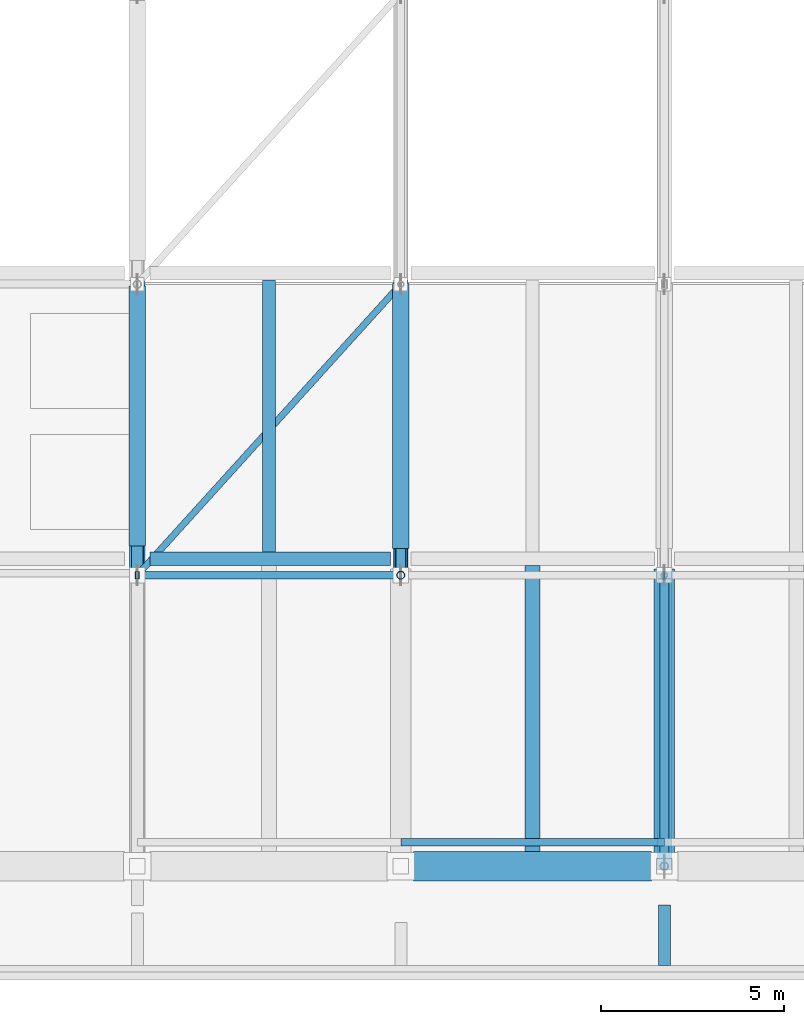
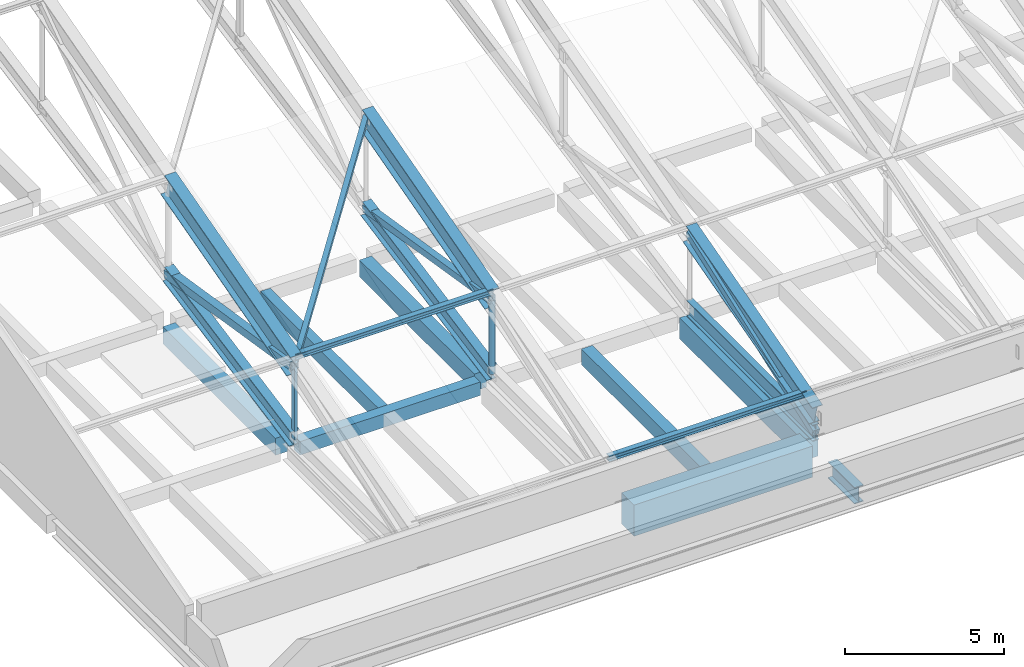
# One storey, part 2 of 53: 14 beams, 8 members.
"""IFC4 building model written with IfcOpenShell, lengths in metres."""

import ifcopenshell
import ifcopenshell.guid

model = None  # the IFC model being written
_history = None  # IfcOwnerHistory: only IFC2X3 demands one
_inside = {}  # id of a spatial element -> (the spatial element, [elements in it])
_under = {}  # id of a project, library or spatial element -> (it, [spatial elements below it])
_declared = {}  # id of a project -> (the project, [libraries it declares])
_typed = {}  # id of a type object -> (the type object, [elements of that type])
_made_of = {}  # id of a material, layer set ... -> (it, [elements and type objects made of it])


def new_model(schema):
    """Start an empty IFC model of exactly this schema.

    Asked for "IFC4X3", IfcOpenShell would pick the latest addendum, in which some entities
    have other attributes; the version numbers below select the first issue.
    IFC2X3 requires an IfcOwnerHistory on every rooted entity: one is made here for all.
    """
    global model, _history
    if schema == "IFC4X3":
        model = ifcopenshell.file(schema_version=(4, 3, 0, 0))
    else:
        model = ifcopenshell.file(schema=schema)
    _inside.clear()
    _under.clear()
    _declared.clear()
    _typed.clear()
    _made_of.clear()
    _history = None
    if model.schema == "IFC2X3":
        org = make("IfcOrganization", Name="unknown")
        user = make(
            "IfcPersonAndOrganization",
            ThePerson=make("IfcPerson", FamilyName="unknown"),
            TheOrganization=org,
        )
        app = make(
            "IfcApplication",
            ApplicationDeveloper=org,
            Version="unknown",
            ApplicationFullName="unknown",
            ApplicationIdentifier="unknown",
        )
        _history = make(
            "IfcOwnerHistory",
            OwningUser=user,
            OwningApplication=app,
            ChangeAction="ADDED",
            CreationDate=0,
        )
    return model


def make(cls, **values):
    """One entity of the class cls with the attributes given. An attribute that is None is left unset."""
    return model.create_entity(
        cls, **{name: value for name, value in values.items() if value is not None}
    )


def rooted(cls, **values):
    """An entity with a GlobalId (a new one), such as an element, a storey or a relation."""
    return make(cls, GlobalId=ifcopenshell.guid.new(), OwnerHistory=_history, **values)


def si_unit(unit_type, name, prefix=None):
    """IfcSIUnit, for example si_unit("LENGTHUNIT", "METRE", prefix="MILLI")."""
    return make("IfcSIUnit", UnitType=unit_type, Prefix=prefix, Name=name)


def assignment(units):
    """IfcUnitAssignment: the units of a project."""
    return None if units is None else make("IfcUnitAssignment", Units=units)


def point(xyz):
    """IfcCartesianPoint."""
    return None if xyz is None else make("IfcCartesianPoint", Coordinates=xyz)


def direction(xyz):
    """IfcDirection."""
    return None if xyz is None else make("IfcDirection", DirectionRatios=xyz)


def frame(location, z_axis=None, x_axis=None):
    """IfcAxis2Placement3D, a coordinate frame: its origin and axes. An axis left out is left unset."""
    return make(
        "IfcAxis2Placement3D",
        Location=point(location),
        Axis=direction(z_axis),
        RefDirection=direction(x_axis),
    )


def frame_2d(location, x_axis=None):
    """IfcAxis2Placement2D, a coordinate frame in the plane: its origin and x axis."""
    return make(
        "IfcAxis2Placement2D", Location=point(location), RefDirection=direction(x_axis)
    )


def origin():
    """The frame at (0, 0, 0) with its axes left unset."""
    return frame((0.0, 0.0, 0.0))


def origin_2d():
    """The frame at (0, 0) in the plane with its x axis left unset."""
    return frame_2d((0.0, 0.0))


def place(relative_to, where):
    """IfcLocalPlacement: puts the frame where relative to a parent placement (None: the world)."""
    return make(
        "IfcLocalPlacement", PlacementRelTo=relative_to, RelativePlacement=where
    )


def context(
    kind, dimensions, precision=None, world=None, true_north=None, identifier=None
):
    """IfcGeometricRepresentationContext, for example the 3D "Model" context."""
    return make(
        "IfcGeometricRepresentationContext",
        ContextIdentifier=identifier,
        ContextType=kind,
        CoordinateSpaceDimension=dimensions,
        Precision=precision,
        WorldCoordinateSystem=world,
        TrueNorth=true_north,
    )


def subcontext(parent, identifier, kind, view, scale=None):
    """IfcGeometricRepresentationSubContext, for example "Body" below "Model"."""
    return make(
        "IfcGeometricRepresentationSubContext",
        ContextIdentifier=identifier,
        ContextType=kind,
        ParentContext=parent,
        TargetScale=scale,
        TargetView=view,
    )


def project(units=None, contexts=None):
    """IfcProject with its units and contexts."""
    return rooted(
        "IfcProject",
        Name="project",
        RepresentationContexts=contexts,
        UnitsInContext=assignment(units),
    )


def spatial(cls, under=None, at=None, **own):
    """A site, building, storey or space (cls), placed at a placement, below another one or the project."""
    s = rooted(cls, ObjectPlacement=at, **own)
    if under is not None:
        _under.setdefault(under.id(), (under, []))[1].append(s)
    return s


def profile(cls, at=None, kind="AREA", **sizes):
    """A parametric profile (cls). Its sizes go by their IFC names, for example OverallWidth=200.0."""
    return make(cls, ProfileType=kind, Position=at, **sizes)


def rectangle(**sizes):
    """IfcRectangleProfileDef."""
    return profile("IfcRectangleProfileDef", **sizes)


def hollow_rectangle(**sizes):
    """IfcRectangleHollowProfileDef."""
    return profile("IfcRectangleHollowProfileDef", **sizes)


def hollow_circle(**sizes):
    """IfcCircleHollowProfileDef."""
    return profile("IfcCircleHollowProfileDef", **sizes)


def i_section(**sizes):
    """IfcIShapeProfileDef."""
    return profile("IfcIShapeProfileDef", **sizes)


def extrude(swept, where, along, depth):
    """IfcExtrudedAreaSolid: the profile swept, set in the frame where, extruded along a direction by depth."""
    return make(
        "IfcExtrudedAreaSolid",
        SweptArea=swept,
        Position=where,
        ExtrudedDirection=direction(along),
        Depth=depth,
    )


def shape(context_of_items, identifier, shape_type, items):
    """IfcShapeRepresentation: the items that make up one representation, for example the "Body"."""
    return make(
        "IfcShapeRepresentation",
        ContextOfItems=context_of_items,
        RepresentationIdentifier=identifier,
        RepresentationType=shape_type,
        Items=items,
    )


def material(Name=None, Category=None):
    """IfcMaterial."""
    return make("IfcMaterial", Name=Name, Category=Category)


def material_profile(
    of_material, cross_section, Name=None, Category=None, Priority=None
):
    """IfcMaterialProfile: a cross section and its material."""
    return make(
        "IfcMaterialProfile",
        Name=Name,
        Material=of_material,
        Profile=cross_section,
        Priority=Priority,
        Category=Category,
    )


def profile_set(profiles, Name=None, composite=None):
    """IfcMaterialProfileSet."""
    return make(
        "IfcMaterialProfileSet",
        Name=Name,
        MaterialProfiles=profiles,
        CompositeProfile=composite,
    )


def made_of(thing, what):
    """Note that an element or type object is made of a material, layer set ...; save() writes the relation."""
    if what is not None:
        _made_of.setdefault(what.id(), (what, []))[1].append(thing)
    return thing


def type_object(cls, material=None, **own):
    """A type object (cls), such as IfcWallType, which elements share."""
    return made_of(rooted(cls, **own), material)


def element(
    cls,
    number,
    at=None,
    inside=None,
    cuts=None,
    type_object=None,
    material=None,
    context=None,
    identifier="Body",
    shape_type=None,
    held_by="IfcProductDefinitionShape",
    body=None,
    shapes=None,
    **own,
):
    """One element of the class cls, such as IfcWall. Its Tag is "e" and its number.

    at: its placement. inside: the storey or other place that contains it. cuts: it is an
    opening in that element (IfcRelVoidsElement). A single representation is given by context,
    identifier, shape_type and body (its items); several are given by shapes. held_by: the class
    of the entity that holds the representations. save() writes the other relations.
    """
    e = rooted(cls, Tag="e%d" % number, ObjectPlacement=at, **own)
    if body is not None:
        shapes = [shape(context, identifier, shape_type, body)]
    if shapes is not None:
        e.Representation = make(held_by, Representations=shapes)
    if inside is not None:
        _inside.setdefault(inside.id(), (inside, []))[1].append(e)
    if cuts is not None:
        rooted(
            "IfcRelVoidsElement", RelatingBuildingElement=cuts, RelatedOpeningElement=e
        )
    if type_object is not None:
        _typed.setdefault(type_object.id(), (type_object, []))[1].append(e)
    return made_of(e, material)


def aggregate(whole, parts):
    """IfcRelAggregates: a whole, such as a stair, and the parts it consists of."""
    return rooted("IfcRelAggregates", RelatingObject=whole, RelatedObjects=parts)


def save(model, path):
    """Write the relations noted so far, then the file.

    IfcRelAggregates (storeys below a building ...), IfcRelContainedInSpatialStructure (elements
    in a storey), IfcRelDefinesByType, IfcRelAssociatesMaterial and IfcRelDeclares: one each for
    every whole, place, type object, material and project.
    """
    for whole, parts in _under.values():
        aggregate(whole, parts)
    for where, things in _inside.values():
        rooted(
            "IfcRelContainedInSpatialStructure",
            RelatedElements=things,
            RelatingStructure=where,
        )
    for kind, things in _typed.values():
        rooted("IfcRelDefinesByType", RelatedObjects=things, RelatingType=kind)
    for what, things in _made_of.values():
        rooted("IfcRelAssociatesMaterial", RelatedObjects=things, RelatingMaterial=what)
    for by, libraries in _declared.values():
        rooted("IfcRelDeclares", RelatingContext=by, RelatedDefinitions=libraries)
    model.write(path)


model = new_model("IFC4")

# Units and contexts
model_context = context("Model", 3, precision=1e-05, world=origin(), true_north=direction((0.0, 1.0)))
body_context = subcontext(model_context, "Body", "Model", "MODEL_VIEW")
ifc_project = project(units=[si_unit("LENGTHUNIT", "METRE"), si_unit("AREAUNIT", "SQUARE_METRE"), si_unit("VOLUMEUNIT", "CUBIC_METRE"), si_unit("PLANEANGLEUNIT", "RADIAN"), si_unit("MASSUNIT", "GRAM", prefix="KILO")], contexts=[model_context])

# Site, building, storey
site_placement = place(None, origin())
site = spatial("IfcSite", under=ifc_project, at=site_placement, CompositionType="ELEMENT")
building_placement = place(site_placement, origin())
building = spatial("IfcBuilding", under=site, at=building_placement, Name="Pellamere Symphony Hall", CompositionType="ELEMENT")
storey_placement = place(building_placement, frame((0.0, 0.0, 24.0)))
storey = spatial("IfcBuildingStorey", under=building, at=storey_placement, Name="L05", CompositionType="ELEMENT", Elevation=24.0)

# Beams
ifc_material_1 = material(Name="Concrete 50 MPa", Category="concrete")
ifc_material_profile_1 = material_profile(ifc_material_1, rectangle(XDim=0.800048828125, YDim=1.199951171875, at=origin_2d()), Name="RC 800x1200")
ifc_profile_set_1 = profile_set([ifc_material_profile_1], Name="Concrete 50 MPa")
beam_type_1 = type_object("IfcBeamType", Name="RC CB-01 800x1200", PredefinedType="BEAM", material=ifc_profile_set_1)
beam_1_placement = place(storey_placement, frame((66.35009765625, 30.0, -0.60009765625), z_axis=(1.0, 0.0, 0.0), x_axis=(0.0, 1.0, 0.0)))
element("IfcBeam", 1, at=beam_1_placement, inside=storey, type_object=beam_type_1, Name="Girder CB-01-X1997 (L05)", PredefinedType="BEAM", context=body_context, shape_type="SweptSolid", body=[
    extrude(rectangle(XDim=0.800048828125, YDim=1.199951171875, at=origin_2d()), origin(), (0.0, 0.0, 1.0), 6.5),
])
ifc_material_2 = material(Name="Concrete 40 MPa", Category="concrete")
ifc_material_profile_2 = material_profile(ifc_material_2, rectangle(XDim=0.550048828125, YDim=0.800048828125, at=origin_2d()), Name="RC 550x800")
ifc_profile_set_2 = profile_set([ifc_material_profile_2], Name="Concrete 40 MPa")
beam_type_2 = type_object("IfcBeamType", Name="RC CB-05 550x800", PredefinedType="BEAM", material=ifc_profile_set_2)
beam_2_placement = place(storey_placement, frame((73.199951171875, 30.35009765625, -0.659912109375), z_axis=(0.0, 1.0, 0.0), x_axis=(-1.0, 0.0, 0.0)))
element("IfcBeam", 2, at=beam_2_placement, inside=storey, type_object=beam_type_2, Name="Girder CB-05-Y2088 (L05)", PredefinedType="BEAM", context=body_context, shape_type="SweptSolid", body=[
    extrude(rectangle(XDim=0.550048828125, YDim=0.800048828125, at=origin_2d()), origin(), (0.0, 0.0, 1.0), 7.77490234375),
])
ifc_material_profile_3 = material_profile(ifc_material_2, rectangle(XDim=0.449951171875, YDim=0.64990234375, at=origin_2d()), Name="RC 450x650")
ifc_profile_set_3 = profile_set([ifc_material_profile_3], Name="Concrete 40 MPa")
beam_type_3 = type_object("IfcBeamType", Name="RC CB-08 450x650", PredefinedType="BEAM", material=ifc_profile_set_3)
beam_3_placement = place(storey_placement, frame((58.800048828125, 38.75, -0.5849609375), z_axis=(0.0, 1.0, 0.0), x_axis=(-1.0, 0.0, 0.0)))
element("IfcBeam", 3, at=beam_3_placement, inside=storey, type_object=beam_type_3, Name="Girder CB-08-Y2079 (L05)", PredefinedType="BEAM", context=body_context, shape_type="SweptSolid", body=[
    extrude(rectangle(XDim=0.449951171875, YDim=0.64990234375, at=origin_2d()), origin(), (0.0, 0.0, 1.0), 7.10009765625),
])
beam_4_placement = place(storey_placement, frame((66.0, 38.675048828125, -0.5849609375), z_axis=(0.0, 1.0, 0.0), x_axis=(-1.0, 0.0, 0.0)))
element("IfcBeam", 4, at=beam_4_placement, inside=storey, type_object=beam_type_3, Name="Girder CB-08-Y2087 (L05)", PredefinedType="BEAM", context=body_context, shape_type="SweptSolid", body=[
    extrude(rectangle(XDim=0.449951171875, YDim=0.64990234375, at=origin_2d()), origin(), (0.0, 0.0, 1.0), 7.25),
])
ifc_material_profile_4 = material_profile(ifc_material_2, rectangle(XDim=0.39990234375, YDim=0.60009765625, at=origin_2d()), Name="RC 400x600")
ifc_profile_set_4 = profile_set([ifc_material_profile_4], Name="Concrete 40 MPa")
beam_type_4 = type_object("IfcBeamType", Name="RC CB-09 400x600", PredefinedType="BEAM", material=ifc_profile_set_4)
beam_5_placement = place(storey_placement, frame((69.60009765625, 30.39990234375, -0.574951171875), z_axis=(0.0, 1.0, 0.0), x_axis=(-1.0, 0.0, 0.0)))
element("IfcBeam", 5, at=beam_5_placement, inside=storey, type_object=beam_type_4, Name="Secondary Floor Beam CB-09-M0804 (L05)", PredefinedType="BEAM", context=body_context, shape_type="SweptSolid", body=[
    extrude(rectangle(XDim=0.39990234375, YDim=0.60009765625, at=origin_2d()), origin(), (0.0, 0.0, 1.0), 7.81005859375),
])
ifc_material_3 = material(Name="Concrete 35 MPa", Category="concrete")
ifc_material_profile_5 = material_profile(ifc_material_3, rectangle(XDim=0.35009765625, YDim=0.550048828125, at=origin_2d()), Name="RC 350x550")
ifc_profile_set_5 = profile_set([ifc_material_profile_5], Name="Concrete 35 MPa")
beam_type_5 = type_object("IfcBeamType", Name="RC CB-10 350x550", PredefinedType="BEAM", material=ifc_profile_set_5)
beam_6_placement = place(storey_placement, frame((62.39990234375, 38.590087890625, -0.550048828125), z_axis=(0.0, 1.0, 0.0), x_axis=(-1.0, 0.0, 0.0)))
element("IfcBeam", 6, at=beam_6_placement, inside=storey, type_object=beam_type_5, Name="Secondary Floor Beam CB-10-M0705 (L05)", PredefinedType="BEAM", context=body_context, shape_type="SweptSolid", body=[
    extrude(rectangle(XDim=0.35009765625, YDim=0.550048828125, at=origin_2d()), origin(), (0.0, 0.0, 1.0), 7.419921875),
])
ifc_material_profile_6 = material_profile(ifc_material_2, rectangle(XDim=0.3798828125, YDim=0.52001953125, at=origin_2d()), Name="RC 380x520")
ifc_profile_set_6 = profile_set([ifc_material_profile_6], Name="Concrete 40 MPa")
beam_type_6 = type_object("IfcBeamType", Name="RC CB-21 380x520", PredefinedType="BEAM", material=ifc_profile_set_6)
beam_7_placement = place(storey_placement, frame((59.14990234375, 38.39990234375, -0.52001953125), z_axis=(1.0, 0.0, 0.0), x_axis=(0.0, 1.0, 0.0)))
element("IfcBeam", 7, at=beam_7_placement, inside=storey, type_object=beam_type_6, Name="Girder CB-21-X2011 (L05)", PredefinedType="BEAM", context=body_context, shape_type="SweptSolid", body=[
    extrude(rectangle(XDim=0.3798828125, YDim=0.52001953125, at=origin_2d()), origin(), (0.0, 0.0, 1.0), 6.5751953125),
])
ifc_material_4 = material(Name="Steel CSA G40.21 350W", Category="steel")
ifc_material_profile_7 = material_profile(ifc_material_4, i_section(OverallWidth=0.41796875, OverallDepth=0.912109375, WebThickness=0.019287109375, FlangeThickness=0.031982421875, at=origin_2d()), Name="W920X342")
ifc_profile_set_7 = profile_set([ifc_material_profile_7], Name="Steel CSA G40.21 350W")
beam_type_7 = type_object("IfcBeamType", Name="Steel Beam SB-01 W920X342", PredefinedType="BEAM", material=ifc_profile_set_7)
beam_8_placement = place(storey_placement, frame((58.800048828125, 37.949951171875, 2.968994140625), z_axis=(0.0, 0.964090435702, 0.265574154969), x_axis=(-1.0, 0.0, 0.0)))
element("IfcBeam", 8, at=beam_8_placement, inside=storey, type_object=beam_type_7, Name="Roof Truss TR-01 Top Chord 2", PredefinedType="BEAM", context=body_context, shape_type="SweptSolid", body=[
    extrude(i_section(OverallWidth=0.41796875, OverallDepth=0.912109375, WebThickness=0.019287109375, FlangeThickness=0.031982421875, at=origin_2d()), origin(), (0.0, 0.0, 1.0), 8.24609375),
])
ifc_material_profile_8 = material_profile(ifc_material_4, i_section(OverallWidth=0.39990234375, OverallDepth=0.85498046875, WebThickness=0.018310546875, FlangeThickness=0.029296875, at=origin_2d()), Name="W840X299")
ifc_profile_set_8 = profile_set([ifc_material_profile_8], Name="Steel CSA G40.21 350W")
beam_type_8 = type_object("IfcBeamType", Name="Steel Beam SB-03 W840X299", PredefinedType="BEAM", material=ifc_profile_set_8)
beam_9_placement = place(storey_placement, frame((66.0, 37.949951171875, 2.99755859375), z_axis=(0.0, 0.964090435702, 0.265574154969), x_axis=(-1.0, 0.0, 0.0)))
element("IfcBeam", 9, at=beam_9_placement, inside=storey, type_object=beam_type_8, Name="Roof Truss TR-02 Top Chord 2", PredefinedType="BEAM", context=body_context, shape_type="SweptSolid", body=[
    extrude(i_section(OverallWidth=0.39990234375, OverallDepth=0.85498046875, WebThickness=0.018310546875, FlangeThickness=0.029296875, at=origin_2d()), origin(), (0.0, 0.0, 1.0), 8.24609375),
])
ifc_material_profile_9 = material_profile(ifc_material_4, i_section(OverallWidth=0.381103515625, OverallDepth=0.77294921875, WebThickness=0.0166015625, FlangeThickness=0.027587890625, at=origin_2d()), Name="W760X257")
ifc_profile_set_9 = profile_set([ifc_material_profile_9], Name="Steel CSA G40.21 350W")
beam_type_9 = type_object("IfcBeamType", Name="Steel Beam SB-05 W760X257", PredefinedType="BEAM", material=ifc_profile_set_9)
beam_10_placement = place(storey_placement, frame((73.199951171875, 30.0, 0.848388671875), z_axis=(0.0, 0.964082854885, 0.265601673408), x_axis=(-1.0, 0.0, 0.0)))
element("IfcBeam", 10, at=beam_10_placement, inside=storey, type_object=beam_type_9, Name="Roof Truss TR-03 Top Chord 1", PredefinedType="BEAM", context=body_context, shape_type="SweptSolid", body=[
    extrude(i_section(OverallWidth=0.381103515625, OverallDepth=0.77294921875, WebThickness=0.0166015625, FlangeThickness=0.027587890625, at=origin_2d()), origin(), (0.0, 0.0, 1.0), 8.24609375),
])
ifc_material_profile_10 = material_profile(ifc_material_4, i_section(OverallWidth=0.3291015625, OverallDepth=0.635009765625, WebThickness=0.017822265625, FlangeThickness=0.031005859375, at=origin_2d()), Name="W610X241")
ifc_profile_set_10 = profile_set([ifc_material_profile_10], Name="Steel CSA G40.21 350W")
beam_type_10 = type_object("IfcBeamType", Name="Steel Beam SB-09 W610X241", PredefinedType="BEAM", material=ifc_profile_set_10)
beam_11_placement = place(storey_placement, frame((58.800048828125, 37.949951171875, 0.159912109375), z_axis=(0.0, 0.981591064498, 0.19099471746), x_axis=(-1.0, 0.0, 0.0)))
element("IfcBeam", 11, at=beam_11_placement, inside=storey, type_object=beam_type_10, Name="Roof Truss TR-01 Bottom Chord 2", PredefinedType="BEAM", context=body_context, shape_type="SweptSolid", body=[
    extrude(i_section(OverallWidth=0.3291015625, OverallDepth=0.635009765625, WebThickness=0.017822265625, FlangeThickness=0.031005859375, at=origin_2d()), origin(), (0.0, 0.0, 1.0), 8.09912109375),
])
beam_12_placement = place(storey_placement, frame((73.199951171875, 27.284912109375, -0.5849609375), z_axis=(0.0, 1.0, 0.0), x_axis=(-1.0, 0.0, 0.0)))
element("IfcBeam", 12, at=beam_12_placement, inside=storey, type_object=beam_type_10, Name="Winter-Garden Canopy Outrigger 03", PredefinedType="BEAM", context=body_context, shape_type="SweptSolid", body=[
    extrude(i_section(OverallWidth=0.3291015625, OverallDepth=0.635009765625, WebThickness=0.017822265625, FlangeThickness=0.031005859375, at=origin_2d()), origin(), (0.0, 0.0, 1.0), 1.6533203125),
])
ifc_material_profile_11 = material_profile(ifc_material_4, i_section(OverallWidth=0.324951171875, OverallDepth=0.615966796875, WebThickness=0.013916015625, FlangeThickness=0.021484375, at=origin_2d()), Name="W610X174")
ifc_profile_set_11 = profile_set([ifc_material_profile_11], Name="Steel CSA G40.21 350W")
beam_type_11 = type_object("IfcBeamType", Name="Steel Beam SB-10 W610X174", PredefinedType="BEAM", material=ifc_profile_set_11)
beam_13_placement = place(storey_placement, frame((66.0, 37.949951171875, 0.159912109375), z_axis=(0.0, 0.981591064498, 0.19099471746), x_axis=(-1.0, 0.0, 0.0)))
element("IfcBeam", 13, at=beam_13_placement, inside=storey, type_object=beam_type_11, Name="Roof Truss TR-02 Bottom Chord 2", PredefinedType="BEAM", context=body_context, shape_type="SweptSolid", body=[
    extrude(i_section(OverallWidth=0.324951171875, OverallDepth=0.615966796875, WebThickness=0.013916015625, FlangeThickness=0.021484375, at=origin_2d()), origin(), (0.0, 0.0, 1.0), 8.09912109375),
])
ifc_material_profile_12 = material_profile(ifc_material_4, i_section(OverallWidth=0.22998046875, OverallDepth=0.616943359375, WebThickness=0.01318359375, FlangeThickness=0.022216796875, at=origin_2d()), Name="W610X140")
ifc_profile_set_12 = profile_set([ifc_material_profile_12], Name="Steel CSA G40.21 350W")
beam_type_12 = type_object("IfcBeamType", Name="Steel Beam SB-11 W610X140", PredefinedType="BEAM", material=ifc_profile_set_12)
beam_14_placement = place(storey_placement, frame((73.199951171875, 30.0, 0.159912109375), z_axis=(0.0, 1.0, 0.0), x_axis=(-1.0, 0.0, 0.0)))
element("IfcBeam", 14, at=beam_14_placement, inside=storey, type_object=beam_type_12, Name="Roof Truss TR-03 Bottom Chord 1", PredefinedType="BEAM", context=body_context, shape_type="SweptSolid", body=[
    extrude(i_section(OverallWidth=0.22998046875, OverallDepth=0.616943359375, WebThickness=0.01318359375, FlangeThickness=0.022216796875, at=origin_2d()), origin(), (0.0, 0.0, 1.0), 7.949951171875),
])

# Members
ifc_material_profile_13 = material_profile(ifc_material_4, hollow_rectangle(XDim=0.3046875, YDim=0.3046875, WallThickness=0.0126953125, at=origin_2d()), Name="HSS305X305X13")
ifc_profile_set_13 = profile_set([ifc_material_profile_13], Name="Steel CSA G40.21 350W")
member_type_1 = type_object("IfcMemberType", Name="Steel Member SM-02 HSS305X305X13", PredefinedType="CHORD", material=ifc_profile_set_13)
member_1_placement = place(storey_placement, frame((58.800048828125, 37.949951171875, 2.968994140625), z_axis=(0.0, 0.987629564652, -0.156805111607), x_axis=(-1.0, 0.0, 0.0)))
element("IfcMember", 15, at=member_1_placement, inside=storey, type_object=member_type_1, Name="Roof Truss TR-01 Web Diagonal 2", PredefinedType="CHORD", context=body_context, shape_type="SweptSolid", body=[
    extrude(hollow_rectangle(XDim=0.3046875, YDim=0.3046875, WallThickness=0.0126953125, at=origin_2d()), origin(), (0.0, 0.0, 1.0), 8.049560546875),
])
ifc_material_profile_14 = material_profile(ifc_material_4, hollow_rectangle(XDim=0.25390625, YDim=0.25390625, WallThickness=0.0126953125, at=origin_2d()), Name="HSS254X254X13")
ifc_profile_set_14 = profile_set([ifc_material_profile_14], Name="Steel CSA G40.21 350W")
member_type_2 = type_object("IfcMemberType", Name="Steel Member SM-03 HSS254X254X13", PredefinedType="BRACE", material=ifc_profile_set_14)
member_2_placement = place(storey_placement, frame((66.0, 37.949951171875, 2.99755859375), z_axis=(0.0, 0.987074261673, -0.160263539031), x_axis=(-1.0, 0.0, 0.0)))
element("IfcMember", 16, at=member_2_placement, inside=storey, type_object=member_type_2, Name="Roof Truss TR-02 Web Diagonal 2", PredefinedType="BRACE", context=body_context, shape_type="SweptSolid", body=[
    extrude(hollow_rectangle(XDim=0.25390625, YDim=0.25390625, WallThickness=0.0126953125, at=origin_2d()), origin(), (0.0, 0.0, 1.0), 8.053955078125),
])
member_3_placement = place(storey_placement, frame((73.199951171875, 30.0, 0.159912109375), z_axis=(0.0, 0.940257084693, 0.340465291454), x_axis=(-1.0, 0.0, 0.0)))
element("IfcMember", 17, at=member_3_placement, inside=storey, type_object=member_type_2, Name="Roof Truss TR-03 Web Diagonal 1", PredefinedType="BRACE", context=body_context, shape_type="SweptSolid", body=[
    extrude(hollow_rectangle(XDim=0.25390625, YDim=0.25390625, WallThickness=0.0126953125, at=origin_2d()), origin(), (0.0, 0.0, 1.0), 8.455078125),
])
ifc_material_profile_15 = material_profile(ifc_material_4, hollow_rectangle(XDim=0.177734375, YDim=0.177734375, WallThickness=0.009521484375, at=origin_2d()), Name="HSS178X178X10")
ifc_profile_set_15 = profile_set([ifc_material_profile_15], Name="Steel CSA G40.21 350W")
member_type_3 = type_object("IfcMemberType", Name="Steel Member SM-05 HSS178X178X10", PredefinedType="BRACE", material=ifc_profile_set_15)
member_4_placement = place(storey_placement, frame((58.800048828125, 37.949951171875, 2.968994140625), z_axis=(0.65736454182, 0.725840479308, 0.202552358059), x_axis=(-0.741204587213, 0.67127919668, 0.0)))
element("IfcMember", 18, at=member_4_placement, inside=storey, type_object=member_type_3, Name="Roof Truss Plan Wind Brace 1.1", PredefinedType="BRACE", context=body_context, shape_type="SweptSolid", body=[
    extrude(hollow_rectangle(XDim=0.177734375, YDim=0.177734375, WallThickness=0.009521484375, at=origin_2d()), origin(), (0.0, 0.0, 1.0), 10.95263671875),
])
ifc_material_profile_16 = material_profile(ifc_material_4, hollow_rectangle(XDim=0.1015625, YDim=0.203125, WallThickness=0.009521484375, at=origin_2d()), Name="HSS203X102X10")
ifc_profile_set_16 = profile_set([ifc_material_profile_16], Name="Steel CSA G40.21 350W")
member_type_4 = type_object("IfcMemberType", Name="Steel Member SM-08 HSS203X102X10", PredefinedType="STRUT", material=ifc_profile_set_16)
member_5_placement = place(storey_placement, frame((58.800048828125, 37.949951171875, 0.159912109375), z_axis=(0.0, 0.0, 1.0), x_axis=(1.0, 0.0, 0.0)))
element("IfcMember", 19, at=member_5_placement, inside=storey, type_object=member_type_4, Name="Roof Truss TR-01 Vertical Post 1", PredefinedType="STRUT", context=body_context, shape_type="SweptSolid", body=[
    extrude(hollow_rectangle(XDim=0.1015625, YDim=0.203125, WallThickness=0.009521484375, at=origin_2d()), origin(), (0.0, 0.0, 1.0), 2.80908203125),
])
ifc_material_profile_17 = material_profile(ifc_material_4, hollow_circle(Radius=0.109619140625, WallThickness=0.009521484375, at=origin_2d()), Name="HSS219X10")
ifc_profile_set_17 = profile_set([ifc_material_profile_17], Name="Steel CSA G40.21 350W")
member_type_5 = type_object("IfcMemberType", Name="Steel Member SM-13 HSS219X10", PredefinedType="STRUT", material=ifc_profile_set_17)
member_6_placement = place(storey_placement, frame((66.0, 37.949951171875, 0.159912109375), z_axis=(0.0, 0.0, 1.0), x_axis=(1.0, 0.0, 0.0)))
element("IfcMember", 20, at=member_6_placement, inside=storey, type_object=member_type_5, Name="Roof Truss TR-02 Vertical Post 1", PredefinedType="STRUT", context=body_context, shape_type="SweptSolid", body=[
    extrude(hollow_circle(Radius=0.109619140625, WallThickness=0.009521484375, at=origin_2d()), origin(), (0.0, 0.0, 1.0), 2.837646484375),
])
ifc_material_profile_18 = material_profile(ifc_material_4, i_section(OverallWidth=0.2041015625, OverallDepth=0.2060546875, WebThickness=0.0078125, FlangeThickness=0.0126953125, at=origin_2d()), Name="W200X52")
ifc_profile_set_18 = profile_set([ifc_material_profile_18], Name="Steel CSA G40.21 350W")
member_type_6 = type_object("IfcMemberType", Name="Steel Member SM-15 W200X52", PredefinedType="PURLIN", material=ifc_profile_set_18)
for number, where, z_axis, x_axis, name in (
    (21, (58.800048828125, 37.949951171875, 3.322021484375), (1.0, 0.0, 0.0), (0.0, 1.0, 0.0), "Folded Roof Purlin 1.1"),
    (22, (66.0, 30.64990234375, 1.31103515625), (1.0, 0.0, 0.0), (0.0, 1.0, 0.0), "Folded Roof Eave Purlin 2.0"),
):
    element("IfcMember", number, at=place(storey_placement, frame(where, z_axis=z_axis, x_axis=x_axis)), inside=storey, type_object=member_type_6, Name=name, PredefinedType="PURLIN", context=body_context, shape_type="SweptSolid", body=[
        extrude(i_section(OverallWidth=0.2041015625, OverallDepth=0.2060546875, WebThickness=0.0078125, FlangeThickness=0.0126953125, at=origin_2d()), origin(), (0.0, 0.0, 1.0), 7.199951171875),
    ])

save(model, "model.ifc")
